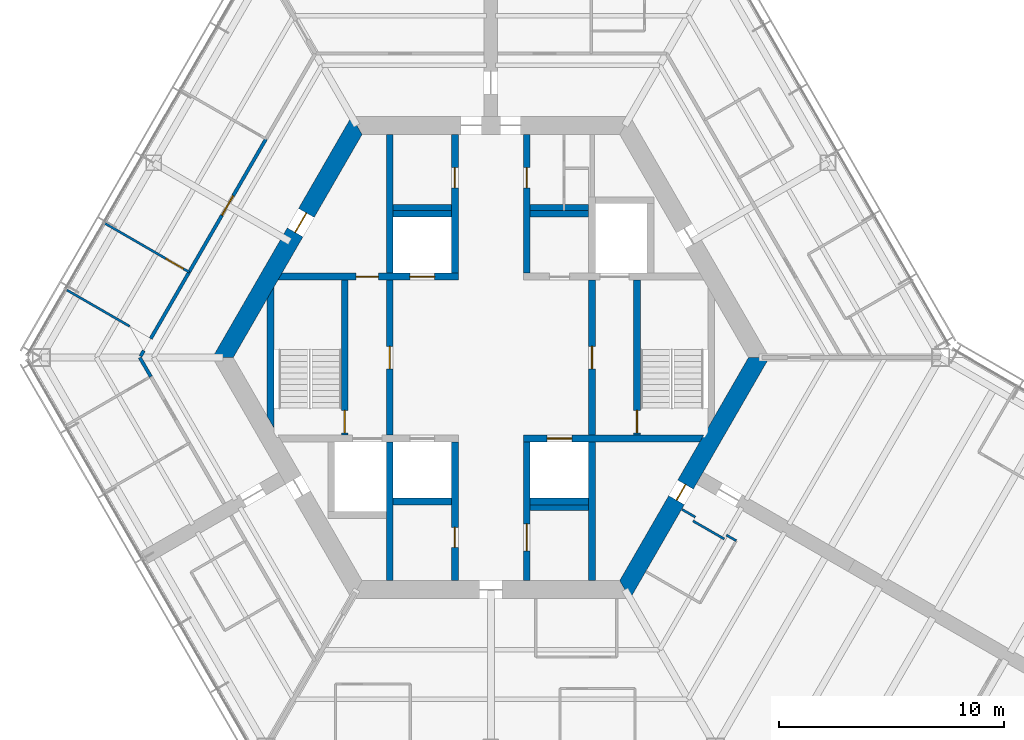
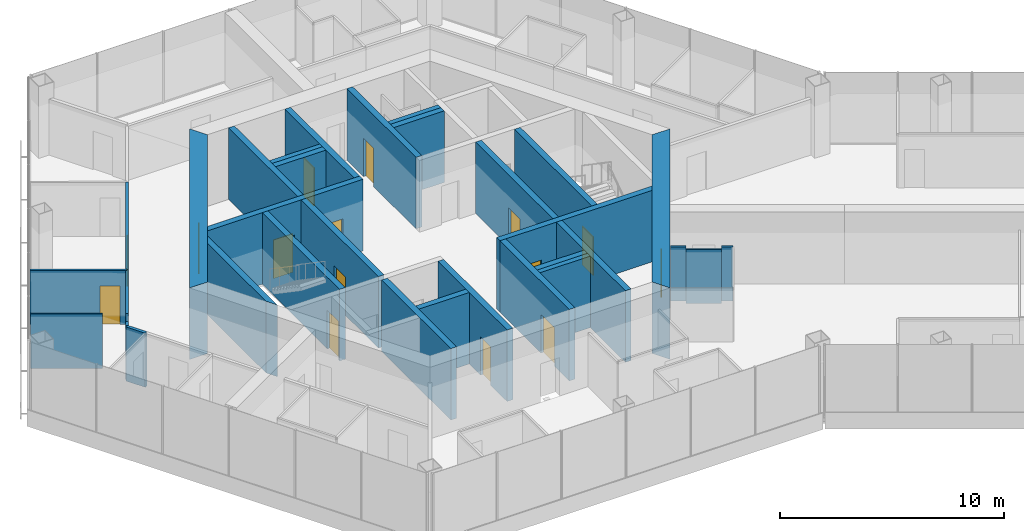
# One storey, part 11 of 17: 32 walls, 15 doors, 15 openings.
"""IFC4 building model written with IfcOpenShell, lengths in metres."""

from ifc_helpers import new_model, si_unit, direction, frame, frame_2d, origin, place, context, subcontext, project, spatial, polyline, rectangle, outline, extrude, material, layer, layer_set, type_object, element, fill, save


model = new_model("IFC4")

# Units and contexts
model_context = context("Model", 3, precision=1e-05, world=origin(), true_north=direction((0.0, 1.0)))
body_context = subcontext(model_context, "Body", "Model", "MODEL_VIEW")
ifc_project = project(units=[si_unit("LENGTHUNIT", "METRE"), si_unit("AREAUNIT", "SQUARE_METRE"), si_unit("VOLUMEUNIT", "CUBIC_METRE"), si_unit("PLANEANGLEUNIT", "RADIAN"), si_unit("MASSUNIT", "GRAM", prefix="KILO")], contexts=[model_context])

# Site, building, storey
site_placement = place(None, origin())
site = spatial("IfcSite", under=ifc_project, at=site_placement, CompositionType="ELEMENT")
building_placement = place(site_placement, origin())
building = spatial("IfcBuilding", under=site, at=building_placement, Name="Kasaneha Research Tower", CompositionType="ELEMENT")
storey_placement = place(building_placement, frame((0.0, 0.0, 232.300048828125)))
storey = spatial("IfcBuildingStorey", under=building, at=storey_placement, Name="L58", CompositionType="ELEMENT", Elevation=232.300048828125)

# Wall, openings, doors
ifc_material_1 = material(Name="Concrete Fc60", Category="concrete")
ifc_layer_1 = layer(ifc_material_1, 0.300048828125)
ifc_layer_set_1 = layer_set([ifc_layer_1], Name="Core internal wall 300 Fc60")
wall_type_1 = type_object("IfcWallType", Name="Core internal wall 300 Fc60", PredefinedType="SHEAR", material=ifc_layer_set_1)
wall_1_placement = place(storey_placement, frame((-9.3818359375, 3.60009765625, 0.0), z_axis=(0.0, 0.0, 1.0), x_axis=(1.0, 0.0, 0.0)))
wall_1 = element("IfcWall", 1, at=wall_1_placement, inside=storey, type_object=wall_type_1, Name="Core wall W1W L58", PredefinedType="SHEAR", context=body_context, shape_type="SweptSolid", body=[
    extrude(outline(polyline([(-0.086669921875, -0.14990234375), (3.3818359375, -0.14990234375), (4.3818359375, -0.14990234375), (5.781982421875, -0.14990234375), (6.882080078125, -0.14990234375), (7.931884765625, -0.14990234375), (7.931884765625, 0.14990234375), (6.882080078125, 0.14990234375), (5.781982421875, 0.14990234375), (4.3818359375, 0.14990234375), (3.3818359375, 0.14990234375), (0.086669921875, 0.14990234375), (-0.086669921875, -0.14990234375)])), origin(), (0.0, 0.0, 1.0), 3.89990234375),
])
opening_1_placement = place(wall_1_placement, frame((3.3818359375, 0.0, 0.0)))
opening_1 = element("IfcOpeningElement", 2, at=opening_1_placement, cuts=wall_1, Name="Opening L58-D12", PredefinedType="OPENING", context=body_context, shape_type="SweptSolid", body=[
    extrude(rectangle(XDim=1.0, YDim=2.10009765625, at=frame_2d((0.5, 1.050048828125))), frame((0.0, 0.16015625, 0.0), z_axis=(0.0, -1.0, 0.0), x_axis=(1.0, 0.0, 0.0)), (0.0, 0.0, 1.0), 0.320068359375),
])
opening_2_placement = place(wall_1_placement, frame((5.781982421875, 0.0, 0.0)))
opening_2 = element("IfcOpeningElement", 3, at=opening_2_placement, cuts=wall_1, Name="Opening LD-LH2-L58", PredefinedType="OPENING", context=body_context, shape_type="SweptSolid", body=[
    extrude(rectangle(XDim=1.10009765625, YDim=2.10009765625, at=frame_2d((0.550048828125, 1.050048828125))), frame((0.0, 0.16015625, 0.0), z_axis=(0.0, -1.0, 0.0), x_axis=(1.0, 0.0, 0.0)), (0.0, 0.0, 1.0), 0.320068359375),
])
ifc_material_2 = material(Name="Steel", Category="steel")
door_type_1 = type_object("IfcDoorType", Name="Lift landing door 1100x2100", OperationType="DOUBLE_DOOR_SLIDING", PredefinedType="DOOR", material=ifc_material_2)
door_1_placement = place(opening_2_placement, origin())
door_1 = element("IfcDoor", 4, at=door_1_placement, inside=storey, type_object=door_type_1, Name="Landing door LH2 LD-LH2-L58", OperationType="DOUBLE_DOOR_SLIDING", OverallHeight=2.10009765625, OverallWidth=1.10009765625, PredefinedType="DOOR", context=body_context, shape_type="SweptSolid", body=[
    extrude(rectangle(XDim=1.10009765625, YDim=2.10009765625, at=frame_2d((0.550048828125, 1.050048828125))), frame((0.0, 0.02490234375, 0.0), z_axis=(0.0, -1.0, 0.0), x_axis=(1.0, 0.0, 0.0)), (0.0, 0.0, 1.0), 0.050048828125),
])
fill(opening_2, door_1)
ifc_material_3 = material(Name="Steel", Category="steel")
door_type_2 = type_object("IfcDoorType", Name="Specified fire door FD60 1000x2100", OperationType="NOTDEFINED", PredefinedType="DOOR", material=ifc_material_3)
door_2_placement = place(opening_1_placement, origin())
door_2 = element("IfcDoor", 5, at=door_2_placement, inside=storey, type_object=door_type_2, Name="Vestibule to lobby door L58-D12", OperationType="SINGLE_SWING_LEFT", OverallHeight=2.10009765625, OverallWidth=1.0, PredefinedType="DOOR", context=body_context, shape_type="SweptSolid", body=[
    extrude(rectangle(XDim=1.0, YDim=2.10009765625, at=frame_2d((0.5, 1.050048828125))), frame((0.0, 0.02490234375, 0.0), z_axis=(0.0, -1.0, 0.0), x_axis=(1.0, 0.0, 0.0)), (0.0, 0.0, 1.0), 0.050048828125),
])
fill(opening_1, door_2)

# Wall, opening, door
wall_2_placement = place(storey_placement, frame((1.449951171875, -3.60009765625, 0.0), z_axis=(0.0, 0.0, 1.0), x_axis=(1.0, 0.0, 0.0)))
wall_2 = element("IfcWall", 6, at=wall_2_placement, inside=storey, type_object=wall_type_1, Name="Core wall W2E L58", PredefinedType="SHEAR", context=body_context, shape_type="SweptSolid", body=[
    extrude(outline(polyline([(0.0, -0.14990234375), (1.050048828125, -0.14990234375), (2.150146484375, -0.14990234375), (7.84521484375, -0.14990234375), (8.0185546875, 0.14990234375), (2.150146484375, 0.14990234375), (1.050048828125, 0.14990234375), (0.0, 0.14990234375), (0.0, -0.14990234375)])), origin(), (0.0, 0.0, 1.0), 3.89990234375),
])
opening_3_placement = place(wall_2_placement, frame((1.050048828125, 0.0, 0.0)))
opening_3 = element("IfcOpeningElement", 7, at=opening_3_placement, cuts=wall_2, Name="Opening LD-LH3-L58", PredefinedType="OPENING", context=body_context, shape_type="SweptSolid", body=[
    extrude(rectangle(XDim=1.10009765625, YDim=2.10009765625, at=frame_2d((0.550048828125, 1.050048828125))), frame((0.0, 0.16015625, 0.0), z_axis=(0.0, -1.0, 0.0), x_axis=(1.0, 0.0, 0.0)), (0.0, 0.0, 1.0), 0.320068359375),
])
door_3_placement = place(opening_3_placement, origin())
door_3 = element("IfcDoor", 8, at=door_3_placement, inside=storey, type_object=door_type_1, Name="Landing door LH3 LD-LH3-L58", OperationType="DOUBLE_DOOR_SLIDING", OverallHeight=2.10009765625, OverallWidth=1.10009765625, PredefinedType="DOOR", context=body_context, shape_type="SweptSolid", body=[
    extrude(rectangle(XDim=1.10009765625, YDim=2.10009765625, at=frame_2d((0.550048828125, 1.050048828125))), frame((0.0, 0.02490234375, 0.0), z_axis=(0.0, -1.0, 0.0), x_axis=(1.0, 0.0, 0.0)), (0.0, 0.0, 1.0), 0.050048828125),
])
fill(opening_3, door_3)

wall_3_placement = place(storey_placement, frame((-1.60009765625, 3.75, 0.0), z_axis=(0.0, 0.0, 1.0), x_axis=(0.0, 1.0, 0.0)))
wall_3 = element("IfcWall", 9, at=wall_3_placement, inside=storey, type_object=wall_type_1, Name="Core wall CNW L58", PredefinedType="SHEAR", context=body_context, shape_type="SweptSolid", body=[
    extrude(rectangle(XDim=6.175048828125, YDim=0.300048828125, at=frame_2d((3.08740234375, 0.0))), origin(), (0.0, 0.0, 1.0), 3.89990234375),
])
opening_4_placement = place(wall_3_placement, frame((3.800048828125, 0.0, 0.0)))
opening_4 = element("IfcOpeningElement", 10, at=opening_4_placement, cuts=wall_3, Name="Opening L58-D13", PredefinedType="OPENING", context=body_context, shape_type="SweptSolid", body=[
    extrude(rectangle(XDim=0.89990234375, YDim=2.10009765625, at=frame_2d((0.449951171875, 1.050048828125))), frame((0.0, 0.16015625, 0.0), z_axis=(0.0, -1.0, 0.0), x_axis=(1.0, 0.0, 0.0)), (0.0, 0.0, 1.0), 0.320068359375),
])
ifc_material_4 = material(Name="Steel", Category="steel")
door_type_3 = type_object("IfcDoorType", Name="Toilet door FD20 900x2100", OperationType="NOTDEFINED", PredefinedType="DOOR", material=ifc_material_4)
door_4_placement = place(opening_4_placement, origin())
door_4 = element("IfcDoor", 11, at=door_4_placement, inside=storey, type_object=door_type_3, Name="Men's WC door L58-D13", OperationType="SINGLE_SWING_LEFT", OverallHeight=2.10009765625, OverallWidth=0.89990234375, PredefinedType="DOOR", context=body_context, shape_type="SweptSolid", body=[
    extrude(rectangle(XDim=0.89990234375, YDim=2.10009765625, at=frame_2d((0.449951171875, 1.050048828125))), frame((0.0, 0.02490234375, 0.0), z_axis=(0.0, -1.0, 0.0), x_axis=(1.0, 0.0, 0.0)), (0.0, 0.0, 1.0), 0.050048828125),
])
fill(opening_4, door_4)

wall_4_placement = place(storey_placement, frame((1.60009765625, 3.75, 0.0), z_axis=(0.0, 0.0, 1.0), x_axis=(0.0, 1.0, 0.0)))
wall_4 = element("IfcWall", 12, at=wall_4_placement, inside=storey, type_object=wall_type_1, Name="Core wall CNE L58", PredefinedType="SHEAR", context=body_context, shape_type="SweptSolid", body=[
    extrude(rectangle(XDim=6.175048828125, YDim=0.300048828125, at=frame_2d((3.08740234375, 0.0))), origin(), (0.0, 0.0, 1.0), 3.89990234375),
])
opening_5_placement = place(wall_4_placement, frame((3.800048828125, 0.0, 0.0)))
opening_5 = element("IfcOpeningElement", 13, at=opening_5_placement, cuts=wall_4, Name="Opening L58-D14", PredefinedType="OPENING", context=body_context, shape_type="SweptSolid", body=[
    extrude(rectangle(XDim=0.89990234375, YDim=2.10009765625, at=frame_2d((0.449951171875, 1.050048828125))), frame((0.0, 0.16015625, 0.0), z_axis=(0.0, -1.0, 0.0), x_axis=(1.0, 0.0, 0.0)), (0.0, 0.0, 1.0), 0.320068359375),
])
door_5_placement = place(opening_5_placement, origin())
door_5 = element("IfcDoor", 14, at=door_5_placement, inside=storey, type_object=door_type_3, Name="Women's WC door L58-D14", OperationType="SINGLE_SWING_LEFT", OverallHeight=2.10009765625, OverallWidth=0.89990234375, PredefinedType="DOOR", context=body_context, shape_type="SweptSolid", body=[
    extrude(rectangle(XDim=0.89990234375, YDim=2.10009765625, at=frame_2d((0.449951171875, 1.050048828125))), frame((0.0, 0.02490234375, 0.0), z_axis=(0.0, -1.0, 0.0), x_axis=(1.0, 0.0, 0.0)), (0.0, 0.0, 1.0), 0.050048828125),
])
fill(opening_5, door_5)

wall_5_placement = place(storey_placement, frame((-1.60009765625, -3.75, 0.0), z_axis=(0.0, 0.0, 1.0), x_axis=(0.0, -1.0, 0.0)))
wall_5 = element("IfcWall", 15, at=wall_5_placement, inside=storey, type_object=wall_type_1, Name="Core wall CSW L58", PredefinedType="SHEAR", context=body_context, shape_type="SweptSolid", body=[
    extrude(rectangle(XDim=6.175048828125, YDim=0.300048828125, at=frame_2d((3.08740234375, 0.0))), origin(), (0.0, 0.0, 1.0), 3.89990234375),
])
opening_6_placement = place(wall_5_placement, frame((3.800048828125, 0.0, 0.0)))
opening_6 = element("IfcOpeningElement", 16, at=opening_6_placement, cuts=wall_5, Name="Opening L58-D16", PredefinedType="OPENING", context=body_context, shape_type="SweptSolid", body=[
    extrude(rectangle(XDim=0.89990234375, YDim=2.10009765625, at=frame_2d((0.449951171875, 1.050048828125))), frame((0.0, 0.16015625, 0.0), z_axis=(0.0, -1.0, 0.0), x_axis=(1.0, 0.0, 0.0)), (0.0, 0.0, 1.0), 0.320068359375),
])
ifc_material_5 = material(Name="Steel", Category="steel")
door_type_4 = type_object("IfcDoorType", Name="Riser access door FD60 900x2100", OperationType="NOTDEFINED", PredefinedType="DOOR", material=ifc_material_5)
door_6_placement = place(opening_6_placement, origin())
door_6 = element("IfcDoor", 17, at=door_6_placement, inside=storey, type_object=door_type_4, Name="Electrical riser door L58-D16", OperationType="SINGLE_SWING_LEFT", OverallHeight=2.10009765625, OverallWidth=0.89990234375, PredefinedType="DOOR", context=body_context, shape_type="SweptSolid", body=[
    extrude(rectangle(XDim=0.89990234375, YDim=2.10009765625, at=frame_2d((0.449951171875, 1.050048828125))), frame((0.0, 0.02490234375, 0.0), z_axis=(0.0, -1.0, 0.0), x_axis=(1.0, 0.0, 0.0)), (0.0, 0.0, 1.0), 0.050048828125),
])
fill(opening_6, door_6)

wall_6_placement = place(storey_placement, frame((1.60009765625, -3.75, 0.0), z_axis=(0.0, 0.0, 1.0), x_axis=(0.0, -1.0, 0.0)))
wall_6 = element("IfcWall", 18, at=wall_6_placement, inside=storey, type_object=wall_type_1, Name="Core wall CSE L58", PredefinedType="SHEAR", context=body_context, shape_type="SweptSolid", body=[
    extrude(rectangle(XDim=6.175048828125, YDim=0.300048828125, at=frame_2d((3.08740234375, 0.0))), origin(), (0.0, 0.0, 1.0), 3.89990234375),
])
opening_7_placement = place(wall_6_placement, frame((3.64990234375, 0.0, 0.0)))
opening_7 = element("IfcOpeningElement", 19, at=opening_7_placement, cuts=wall_6, Name="Opening L58-D15", PredefinedType="OPENING", context=body_context, shape_type="SweptSolid", body=[
    extrude(rectangle(XDim=1.199951171875, YDim=2.10009765625, at=frame_2d((0.60009765625, 1.050048828125))), frame((0.0, 0.16015625, 0.0), z_axis=(0.0, -1.0, 0.0), x_axis=(1.0, 0.0, 0.0)), (0.0, 0.0, 1.0), 0.320068359375),
])
ifc_material_6 = material(Name="Steel", Category="steel")
door_type_5 = type_object("IfcDoorType", Name="Accessible toilet sliding door FD20 1200x2100", OperationType="SLIDING_TO_LEFT", PredefinedType="DOOR", material=ifc_material_6)
door_7_placement = place(opening_7_placement, origin())
door_7 = element("IfcDoor", 20, at=door_7_placement, inside=storey, type_object=door_type_5, Name="Accessible WC door L58-D15", OperationType="SLIDING_TO_LEFT", OverallHeight=2.10009765625, OverallWidth=1.199951171875, PredefinedType="DOOR", context=body_context, shape_type="SweptSolid", body=[
    extrude(rectangle(XDim=1.199951171875, YDim=2.10009765625, at=frame_2d((0.60009765625, 1.050048828125))), frame((0.0, 0.02490234375, 0.0), z_axis=(0.0, -1.0, 0.0), x_axis=(1.0, 0.0, 0.0)), (0.0, 0.0, 1.0), 0.050048828125),
])
fill(opening_7, door_7)

wall_7_placement = place(storey_placement, frame((-4.5, -3.449951171875, 0.0), z_axis=(0.0, 0.0, 1.0), x_axis=(0.0, 1.0, 0.0)))
wall_7 = element("IfcWall", 21, at=wall_7_placement, inside=storey, type_object=wall_type_1, Name="Core wall LBW L58", PredefinedType="SHEAR", context=body_context, shape_type="SweptSolid", body=[
    extrude(rectangle(XDim=6.89990234375, YDim=0.300048828125, at=frame_2d((3.449951171875, 0.0))), origin(), (0.0, 0.0, 1.0), 3.89990234375),
])
opening_8_placement = place(wall_7_placement, frame((2.949951171875, 0.0, 0.0)))
opening_8 = element("IfcOpeningElement", 22, at=opening_8_placement, cuts=wall_7, Name="Opening L58-D09", PredefinedType="OPENING", context=body_context, shape_type="SweptSolid", body=[
    extrude(rectangle(XDim=1.0, YDim=2.10009765625, at=frame_2d((0.5, 1.050048828125))), frame((0.0, 0.16015625, 0.0), z_axis=(0.0, -1.0, 0.0), x_axis=(1.0, 0.0, 0.0)), (0.0, 0.0, 1.0), 0.320068359375),
])
door_8_placement = place(opening_8_placement, origin())
door_8 = element("IfcDoor", 23, at=door_8_placement, inside=storey, type_object=door_type_2, Name="Lift lobby door west L58-D09", OperationType="SINGLE_SWING_LEFT", OverallHeight=2.10009765625, OverallWidth=1.0, PredefinedType="DOOR", context=body_context, shape_type="SweptSolid", body=[
    extrude(rectangle(XDim=1.0, YDim=2.10009765625, at=frame_2d((0.5, 1.050048828125))), frame((0.0, 0.02490234375, 0.0), z_axis=(0.0, -1.0, 0.0), x_axis=(1.0, 0.0, 0.0)), (0.0, 0.0, 1.0), 0.050048828125),
])
fill(opening_8, door_8)

wall_8_placement = place(storey_placement, frame((4.5, -3.449951171875, 0.0), z_axis=(0.0, 0.0, 1.0), x_axis=(0.0, 1.0, 0.0)))
wall_8 = element("IfcWall", 24, at=wall_8_placement, inside=storey, type_object=wall_type_1, Name="Core wall LBE L58", PredefinedType="SHEAR", context=body_context, shape_type="SweptSolid", body=[
    extrude(rectangle(XDim=6.89990234375, YDim=0.300048828125, at=frame_2d((3.449951171875, 0.0))), origin(), (0.0, 0.0, 1.0), 3.89990234375),
])
opening_9_placement = place(wall_8_placement, frame((2.949951171875, 0.0, 0.0)))
opening_9 = element("IfcOpeningElement", 25, at=opening_9_placement, cuts=wall_8, Name="Opening L58-D08", PredefinedType="OPENING", context=body_context, shape_type="SweptSolid", body=[
    extrude(rectangle(XDim=1.0, YDim=2.10009765625, at=frame_2d((0.5, 1.050048828125))), frame((0.0, 0.16015625, 0.0), z_axis=(0.0, -1.0, 0.0), x_axis=(1.0, 0.0, 0.0)), (0.0, 0.0, 1.0), 0.320068359375),
])
door_9_placement = place(opening_9_placement, origin())
door_9 = element("IfcDoor", 26, at=door_9_placement, inside=storey, type_object=door_type_2, Name="Lift lobby door east L58-D08", OperationType="SINGLE_SWING_LEFT", OverallHeight=2.10009765625, OverallWidth=1.0, PredefinedType="DOOR", context=body_context, shape_type="SweptSolid", body=[
    extrude(rectangle(XDim=1.0, YDim=2.10009765625, at=frame_2d((0.5, 1.050048828125))), frame((0.0, 0.02490234375, 0.0), z_axis=(0.0, -1.0, 0.0), x_axis=(1.0, 0.0, 0.0)), (0.0, 0.0, 1.0), 0.050048828125),
])
fill(opening_9, door_9)

wall_9_placement = place(storey_placement, frame((-6.5, -3.449951171875, 0.0), z_axis=(0.0, 0.0, 1.0), x_axis=(0.0, 1.0, 0.0)))
wall_9 = element("IfcWall", 27, at=wall_9_placement, inside=storey, type_object=wall_type_1, Name="Core wall ANW L58", PredefinedType="SHEAR", context=body_context, shape_type="SweptSolid", body=[
    extrude(rectangle(XDim=6.89990234375, YDim=0.300048828125, at=frame_2d((3.449951171875, 0.0))), origin(), (0.0, 0.0, 1.0), 3.89990234375),
])
opening_10_placement = place(wall_9_placement, frame((0.10009765625, 0.0, 0.0)))
opening_10 = element("IfcOpeningElement", 28, at=opening_10_placement, cuts=wall_9, Name="Opening L58-D11", PredefinedType="OPENING", context=body_context, shape_type="SweptSolid", body=[
    extrude(rectangle(XDim=1.0, YDim=2.10009765625, at=frame_2d((0.5, 1.050048828125))), frame((0.0, 0.16015625, 0.0), z_axis=(0.0, -1.0, 0.0), x_axis=(1.0, 0.0, 0.0)), (0.0, 0.0, 1.0), 0.320068359375),
])
door_10_placement = place(opening_10_placement, origin())
door_10 = element("IfcDoor", 29, at=door_10_placement, inside=storey, type_object=door_type_2, Name="Stair 2 door L58-D11", OperationType="SINGLE_SWING_LEFT", OverallHeight=2.10009765625, OverallWidth=1.0, PredefinedType="DOOR", context=body_context, shape_type="SweptSolid", body=[
    extrude(rectangle(XDim=1.0, YDim=2.10009765625, at=frame_2d((0.5, 1.050048828125))), frame((0.0, 0.02490234375, 0.0), z_axis=(0.0, -1.0, 0.0), x_axis=(1.0, 0.0, 0.0)), (0.0, 0.0, 1.0), 0.050048828125),
])
fill(opening_10, door_10)

wall_10_placement = place(storey_placement, frame((6.5, -3.449951171875, 0.0), z_axis=(0.0, 0.0, 1.0), x_axis=(0.0, 1.0, 0.0)))
wall_10 = element("IfcWall", 30, at=wall_10_placement, inside=storey, type_object=wall_type_1, Name="Core wall ANE L58", PredefinedType="SHEAR", context=body_context, shape_type="SweptSolid", body=[
    extrude(rectangle(XDim=6.89990234375, YDim=0.300048828125, at=frame_2d((3.449951171875, 0.0))), origin(), (0.0, 0.0, 1.0), 3.89990234375),
])
opening_11_placement = place(wall_10_placement, frame((0.10009765625, 0.0, 0.0)))
opening_11 = element("IfcOpeningElement", 31, at=opening_11_placement, cuts=wall_10, Name="Opening L58-D10", PredefinedType="OPENING", context=body_context, shape_type="SweptSolid", body=[
    extrude(rectangle(XDim=1.0, YDim=2.10009765625, at=frame_2d((0.5, 1.050048828125))), frame((0.0, 0.16015625, 0.0), z_axis=(0.0, -1.0, 0.0), x_axis=(1.0, 0.0, 0.0)), (0.0, 0.0, 1.0), 0.320068359375),
])
door_11_placement = place(opening_11_placement, origin())
door_11 = element("IfcDoor", 32, at=door_11_placement, inside=storey, type_object=door_type_2, Name="Stair 1 door L58-D10", OperationType="SINGLE_SWING_LEFT", OverallHeight=2.10009765625, OverallWidth=1.0, PredefinedType="DOOR", context=body_context, shape_type="SweptSolid", body=[
    extrude(rectangle(XDim=1.0, YDim=2.10009765625, at=frame_2d((0.5, 1.050048828125))), frame((0.0, 0.02490234375, 0.0), z_axis=(0.0, -1.0, 0.0), x_axis=(1.0, 0.0, 0.0)), (0.0, 0.0, 1.0), 0.050048828125),
])
fill(opening_11, door_11)

# Walls
for number, where, z_axis, x_axis, name in (
    (33, (-4.5, 3.75, 0.0), (0.0, 0.0, 1.0), (0.0, 1.0, 0.0), "Core wall VNW L58"),
    (34, (-4.5, -3.75, 0.0), (0.0, 0.0, 1.0), (0.0, -1.0, 0.0), "Core wall SSW L58"),
    (35, (4.5, -3.75, 0.0), (0.0, 0.0, 1.0), (0.0, -1.0, 0.0), "Core wall SSE L58"),
):
    element("IfcWall", number, at=place(storey_placement, frame(where, z_axis=z_axis, x_axis=x_axis)), inside=storey, type_object=wall_type_1, Name=name, PredefinedType="SHEAR", context=body_context, shape_type="SweptSolid", body=[
        extrude(rectangle(XDim=6.175048828125, YDim=0.300048828125, at=frame_2d((3.08740234375, 0.0))), origin(), (0.0, 0.0, 1.0), 3.89990234375),
    ])
for number, where, z_axis, x_axis, name in (
    (36, (-4.35009765625, 6.39990234375, 0.0), (0.0, 0.0, 1.0), (1.0, 0.0, 0.0), "Core wall N1N L58"),
    (37, (1.75, 6.39990234375, 0.0), (0.0, 0.0, 1.0), (1.0, 0.0, 0.0), "Core wall N3N L58"),
    (38, (-4.35009765625, -6.39990234375, 0.0), (0.0, 0.0, 1.0), (1.0, 0.0, 0.0), "Core wall S1S L58"),
    (39, (1.75, -6.39990234375, 0.0), (0.0, 0.0, 1.0), (1.0, 0.0, 0.0), "Core wall S3S L58"),
):
    element("IfcWall", number, at=place(storey_placement, frame(where, z_axis=z_axis, x_axis=x_axis)), inside=storey, type_object=wall_type_1, Name=name, PredefinedType="SHEAR", context=body_context, shape_type="SweptSolid", body=[
        extrude(rectangle(XDim=2.60009765625, YDim=0.300048828125, at=frame_2d((1.300048828125, 0.0))), origin(), (0.0, 0.0, 1.0), 3.89990234375),
    ])
wall_11_placement = place(storey_placement, frame((-9.807861328125, -2.8623046875, 0.0), z_axis=(0.0, 0.0, 1.0), x_axis=(0.0, 1.0, 0.0)))
element("IfcWall", 40, at=wall_11_placement, inside=storey, type_object=wall_type_1, Name="Core wall STW L58", PredefinedType="SHEAR", context=body_context, shape_type="SweptSolid", body=[
    extrude(outline(polyline([(-0.259765625, -0.14990234375), (5.984375, -0.14990234375), (5.46484375, 0.14990234375), (0.259765625, 0.14990234375), (-0.259765625, -0.14990234375)])), origin(), (0.0, 0.0, 1.0), 3.89990234375),
])

# Wall, opening, door
ifc_material_7 = material(Name="Concrete Fc60", Category="concrete")
ifc_layer_2 = layer(ifc_material_7, 0.800048828125)
ifc_layer_set_2 = layer_set([ifc_layer_2], Name="Core wall 800 Fc60")
wall_type_2 = type_object("IfcWallType", Name="Core wall 800 Fc60", PredefinedType="SHEAR", material=ifc_layer_set_2)
wall_12_placement = place(storey_placement, frame((-5.961181640625, 10.324951171875, 0.0), z_axis=(0.0, 0.0, 1.0), x_axis=(-0.500004296715, -0.866022923061, 0.0)))
wall_12 = element("IfcWall", 41, at=wall_12_placement, inside=storey, type_object=wall_type_2, Name="Core wall 150 L58", PredefinedType="SHEAR", context=body_context, shape_type="SweptSolid", body=[
    extrude(outline(polyline([(-0.23095703125, -0.39990234375), (4.494140625, -0.39990234375), (5.494140625, -0.39990234375), (12.1533203125, -0.39990234375), (11.69140625, 0.39990234375), (5.494140625, 0.39990234375), (4.494140625, 0.39990234375), (0.23095703125, 0.39990234375), (-0.23095703125, -0.39990234375)])), origin(), (0.0, 0.0, 1.0), 3.89990234375),
])
opening_12_placement = place(wall_12_placement, frame((4.494140625, 0.0, 0.0)))
opening_12 = element("IfcOpeningElement", 42, at=opening_12_placement, cuts=wall_12, Name="Opening L58-D07", PredefinedType="OPENING", context=body_context, shape_type="SweptSolid", body=[
    extrude(rectangle(XDim=1.0, YDim=2.10009765625, at=frame_2d((0.5, 1.050048828125))), frame((0.0, 0.41015625, 0.0), z_axis=(0.0, -1.0, 0.0), x_axis=(1.0, 0.0, 0.0)), (0.0, 0.0, 1.0), 0.820068359375),
])
ifc_material_8 = material(Name="Steel", Category="steel")
door_type_6 = type_object("IfcDoorType", Name="Fire door FD20 1000x2100", OperationType="NOTDEFINED", PredefinedType="DOOR", material=ifc_material_8)
door_12_placement = place(opening_12_placement, origin())
door_12 = element("IfcDoor", 43, at=door_12_placement, inside=storey, type_object=door_type_6, Name="Vestibule door L58-D07", OperationType="SINGLE_SWING_LEFT", OverallHeight=2.10009765625, OverallWidth=1.0, PredefinedType="DOOR", context=body_context, shape_type="SweptSolid", body=[
    extrude(rectangle(XDim=1.0, YDim=2.10009765625, at=frame_2d((0.5, 1.050048828125))), frame((0.0, 0.02490234375, 0.0), z_axis=(0.0, -1.0, 0.0), x_axis=(1.0, 0.0, 0.0)), (0.0, 0.0, 1.0), 0.050048828125),
])
fill(opening_12, door_12)

wall_13_placement = place(storey_placement, frame((5.961181640625, -10.324951171875, 0.0), z_axis=(0.0, 0.0, 1.0), x_axis=(0.500004296715, 0.866022923061, 0.0)))
wall_13 = element("IfcWall", 44, at=wall_13_placement, inside=storey, type_object=wall_type_2, Name="Core wall 330 L58", PredefinedType="SHEAR", context=body_context, shape_type="SweptSolid", body=[
    extrude(outline(polyline([(-0.23095703125, -0.39990234375), (4.593994140625, -0.39990234375), (5.39404296875, -0.39990234375), (12.1533203125, -0.39990234375), (11.69140625, 0.39990234375), (5.39404296875, 0.39990234375), (4.593994140625, 0.39990234375), (0.23095703125, 0.39990234375), (-0.23095703125, -0.39990234375)])), origin(), (0.0, 0.0, 1.0), 3.89990234375),
])
opening_13_placement = place(wall_13_placement, frame((4.593994140625, 0.0, 0.0)))
opening_13 = element("IfcOpeningElement", 45, at=opening_13_placement, cuts=wall_13, Name="Opening L58-D05", PredefinedType="OPENING", context=body_context, shape_type="SweptSolid", body=[
    extrude(rectangle(XDim=0.800048828125, YDim=2.10009765625, at=frame_2d((0.39990234375, 1.050048828125))), frame((0.0, 0.41015625, 0.0), z_axis=(0.0, -1.0, 0.0), x_axis=(1.0, 0.0, 0.0)), (0.0, 0.0, 1.0), 0.820068359375),
])
ifc_material_9 = material(Name="Steel", Category="steel")
door_type_7 = type_object("IfcDoorType", Name="Riser access door FD60 800x2100", OperationType="NOTDEFINED", PredefinedType="DOOR", material=ifc_material_9)
door_13_placement = place(opening_13_placement, origin())
door_13 = element("IfcDoor", 46, at=door_13_placement, inside=storey, type_object=door_type_7, Name="Pipe riser door L58-D05", OperationType="SINGLE_SWING_LEFT", OverallHeight=2.10009765625, OverallWidth=0.800048828125, PredefinedType="DOOR", context=body_context, shape_type="SweptSolid", body=[
    extrude(rectangle(XDim=0.800048828125, YDim=2.10009765625, at=frame_2d((0.39990234375, 1.050048828125))), frame((0.0, 0.02490234375, 0.0), z_axis=(0.0, -1.0, 0.0), x_axis=(1.0, 0.0, 0.0)), (0.0, 0.0, 1.0), 0.050048828125),
])
fill(opening_13, door_13)

# Wall
ifc_material_10 = material(Name="Gypsum board on steel studs, one layer each side", Category="steel")
ifc_layer_3 = layer(ifc_material_10, 0.10009765625)
ifc_layer_set_3 = layer_set([ifc_layer_3], Name="Office partition 100")
wall_type_3 = type_object("IfcWallType", Name="Office partition 100", PredefinedType="PARTITIONING", material=ifc_layer_set_3)
wall_14_placement = place(storey_placement, frame((-16.06689453125, 1.388427734375, 0.0), z_axis=(0.0, 0.0, 1.0), x_axis=(-0.866010186656, 0.500026355914, 0.0)))
element("IfcWall", 47, at=wall_14_placement, inside=storey, type_object=wall_type_3, Name="Office partition FBN08 L58", PredefinedType="PARTITIONING", context=body_context, shape_type="SweptSolid", body=[
    extrude(rectangle(XDim=3.221923828125, YDim=0.10009765625, at=frame_2d((1.61083984375, 0.0))), origin(), (0.0, 0.0, 1.0), 2.949951171875),
])

# Wall, opening, door
wall_15_placement = place(storey_placement, frame((-17.1708984375, 5.969970703125, 0.0), z_axis=(0.0, 0.0, 1.0), x_axis=(0.865485466478, -0.500934034894, 0.0)))
wall_15 = element("IfcWall", 48, at=wall_15_placement, inside=storey, type_object=wall_type_3, Name="Office partition FBN09 L58", PredefinedType="PARTITIONING", context=body_context, shape_type="SweptSolid", body=[
    extrude(rectangle(XDim=4.330322265625, YDim=0.10009765625, at=frame_2d((2.1650390625, 0.0))), origin(), (0.0, 0.0, 1.0), 2.949951171875),
])
opening_14_placement = place(wall_15_placement, frame((3.130615234375, 0.0, 0.0)))
opening_14 = element("IfcOpeningElement", 49, at=opening_14_placement, cuts=wall_15, Name="Opening L58-D35", PredefinedType="OPENING", context=body_context, shape_type="SweptSolid", body=[
    extrude(rectangle(XDim=0.89990234375, YDim=2.10009765625, at=frame_2d((0.449951171875, 1.050048828125))), frame((0.0, 0.06005859375, 0.0), z_axis=(0.0, -1.0, 0.0), x_axis=(1.0, 0.0, 0.0)), (0.0, 0.0, 1.0), 0.1201171875),
])
ifc_material_11 = material(Name="Timber veneer", Category="wood")
door_type_8 = type_object("IfcDoorType", Name="Office door 900x2100", OperationType="SINGLE_SWING_LEFT", PredefinedType="DOOR", material=ifc_material_11)
door_14_placement = place(opening_14_placement, origin())
door_14 = element("IfcDoor", 50, at=door_14_placement, inside=storey, type_object=door_type_8, Name="Meeting room door L58-D35", OperationType="SINGLE_SWING_RIGHT", OverallHeight=2.10009765625, OverallWidth=0.89990234375, PredefinedType="DOOR", context=body_context, shape_type="SweptSolid", body=[
    extrude(rectangle(XDim=0.89990234375, YDim=2.10009765625, at=frame_2d((0.449951171875, 1.050048828125))), frame((0.0, 0.02490234375, 0.0), z_axis=(0.0, -1.0, 0.0), x_axis=(1.0, 0.0, 0.0)), (0.0, 0.0, 1.0), 0.050048828125),
])
fill(opening_14, door_14)

# Walls
wall_16_placement = place(storey_placement, frame((8.50537109375, -6.758056640625, 0.0), z_axis=(0.0, 0.0, 1.0), x_axis=(0.865958369053, -0.50011608959, 0.0)))
element("IfcWall", 51, at=wall_16_placement, inside=storey, type_object=wall_type_3, Name="Office partition FCS01 L58", PredefinedType="PARTITIONING", context=body_context, shape_type="SweptSolid", body=[
    extrude(rectangle(XDim=0.679931640625, YDim=0.10009765625, at=frame_2d((0.33984375, 0.0))), origin(), (0.0, 0.0, 1.0), 2.949951171875),
])
wall_17_placement = place(storey_placement, frame((8.994384765625, -7.271240234375, 0.0), z_axis=(0.0, 0.0, 1.0), x_axis=(0.865989903783, -0.500061482766, 0.0)))
element("IfcWall", 52, at=wall_17_placement, inside=storey, type_object=wall_type_3, Name="Office partition FCS02 L58", PredefinedType="PARTITIONING", context=body_context, shape_type="SweptSolid", body=[
    extrude(rectangle(XDim=1.599853515625, YDim=0.10009765625, at=frame_2d((0.7998046875, 0.0))), origin(), (0.0, 0.0, 1.0), 2.949951171875),
])
wall_18_placement = place(storey_placement, frame((10.47998046875, -7.898193359375, 0.0), z_axis=(0.0, 0.0, 1.0), x_axis=(0.866071776036, -0.499919672301, 0.0)))
element("IfcWall", 53, at=wall_18_placement, inside=storey, type_object=wall_type_3, Name="Office partition FCS04 L58", PredefinedType="PARTITIONING", context=body_context, shape_type="SweptSolid", body=[
    extrude(rectangle(XDim=0.5, YDim=0.10009765625, at=frame_2d((0.25, 0.0))), origin(), (0.0, 0.0, 1.0), 2.949951171875),
])
ifc_material_12 = material(Name="Gypsum board on steel studs, two layers each side", Category="steel")
ifc_layer_4 = layer(ifc_material_12, 0.14990234375)
ifc_layer_set_4 = layer_set([ifc_layer_4], Name="Suite partition 150")
wall_type_4 = type_object("IfcWallType", Name="Suite partition 150", PredefinedType="PARTITIONING", material=ifc_layer_set_4)
wall_19_placement = place(storey_placement, frame((-15.131103515625, 0.84228515625, 0.0), z_axis=(0.0, 0.0, 1.0), x_axis=(0.500032973541, 0.866006365664, 0.0)))
element("IfcWall", 54, at=wall_19_placement, inside=storey, type_object=wall_type_4, Name="Suite partition FBN01 L58", PredefinedType="PARTITIONING", context=body_context, shape_type="SweptSolid", body=[
    extrude(rectangle(XDim=3.425537109375, YDim=0.14990234375, at=frame_2d((1.712890625, 0.0))), origin(), (0.0, 0.0, 1.0), 2.949951171875),
])
wall_20_placement = place(storey_placement, frame((-15.584716796875, 0.056396484375, 0.0), z_axis=(0.0, 0.0, 1.0), x_axis=(0.500164219654, 0.865930570761, 0.0)))
element("IfcWall", 55, at=wall_20_placement, inside=storey, type_object=wall_type_4, Name="Suite partition FBN04 L58", PredefinedType="PARTITIONING", context=body_context, shape_type="SweptSolid", body=[
    extrude(rectangle(XDim=0.287109375, YDim=0.14990234375, at=frame_2d((0.1435546875, 0.0))), origin(), (0.0, 0.0, 1.0), 2.949951171875),
])
wall_21_placement = place(storey_placement, frame((-15.1259765625, -0.85107421875, 0.0), z_axis=(0.0, 0.0, 1.0), x_axis=(-0.499880173341, 0.866094574686, 0.0)))
element("IfcWall", 56, at=wall_21_placement, inside=storey, type_object=wall_type_4, Name="Suite partition FBN05 L58", PredefinedType="PARTITIONING", context=body_context, shape_type="SweptSolid", body=[
    extrude(rectangle(XDim=0.982666015625, YDim=0.14990234375, at=frame_2d((0.4912109375, 0.0))), origin(), (0.0, 0.0, 1.0), 2.949951171875),
])

# Wall, opening, door
wall_22_placement = place(storey_placement, frame((-13.423095703125, 3.80078125, 0.0), z_axis=(0.0, 0.0, 1.0), x_axis=(0.500020088259, 0.866013805512, 0.0)))
wall_22 = element("IfcWall", 57, at=wall_22_placement, inside=storey, type_object=wall_type_4, Name="Suite partition FBN06 L58", PredefinedType="PARTITIONING", context=body_context, shape_type="SweptSolid", body=[
    extrude(rectangle(XDim=6.840087890625, YDim=0.14990234375, at=frame_2d((3.419921875, 0.0))), origin(), (0.0, 0.0, 1.0), 2.949951171875),
])
opening_15_placement = place(wall_22_placement, frame((2.919921875, 0.0, 0.0)))
opening_15 = element("IfcOpeningElement", 58, at=opening_15_placement, cuts=wall_22, Name="Opening L58-D33", PredefinedType="OPENING", context=body_context, shape_type="SweptSolid", body=[
    extrude(rectangle(XDim=1.0, YDim=2.10009765625, at=frame_2d((0.5, 1.050048828125))), frame((0.0, 0.0849609375, 0.0), z_axis=(0.0, -1.0, 0.0), x_axis=(1.0, 0.0, 0.0)), (0.0, 0.0, 1.0), 0.169921875),
])
ifc_material_13 = material(Name="Steel", Category="steel")
door_type_9 = type_object("IfcDoorType", Name="Suite entrance door FD60 1000x2100", OperationType="NOTDEFINED", PredefinedType="DOOR", material=ifc_material_13)
door_15_placement = place(opening_15_placement, origin())
door_15 = element("IfcDoor", 59, at=door_15_placement, inside=storey, type_object=door_type_9, Name="Suite entrance door L58-D33", OperationType="SINGLE_SWING_RIGHT", OverallHeight=2.10009765625, OverallWidth=1.0, PredefinedType="DOOR", context=body_context, shape_type="SweptSolid", body=[
    extrude(rectangle(XDim=1.0, YDim=2.10009765625, at=frame_2d((0.5, 1.050048828125))), frame((0.0, 0.02490234375, 0.0), z_axis=(0.0, -1.0, 0.0), x_axis=(1.0, 0.0, 0.0)), (0.0, 0.0, 1.0), 0.050048828125),
])
fill(opening_15, door_15)

# Walls
ifc_material_14 = material(Name="Concrete block lining", Category="concrete")
ifc_layer_5 = layer(ifc_material_14, 0.25)
ifc_layer_set_5 = layer_set([ifc_layer_5], Name="WC plumbing wall 250")
wall_type_5 = type_object("IfcWallType", Name="WC plumbing wall 250", PredefinedType="PLUMBINGWALL", material=ifc_layer_set_5)
for number, where, z_axis, x_axis, name in (
    (60, (-4.35009765625, 6.675048828125, 0.0), (0.0, 0.0, 1.0), (1.0, 0.0, 0.0), "WC plumbing wall M L58"),
    (61, (1.75, 6.675048828125, 0.0), (0.0, 0.0, 1.0), (1.0, 0.0, 0.0), "WC plumbing wall F L58"),
    (62, (1.75, -6.675048828125, 0.0), (0.0, 0.0, 1.0), (1.0, 0.0, 0.0), "WC plumbing wall A L58"),
):
    element("IfcWall", number, at=place(storey_placement, frame(where, z_axis=z_axis, x_axis=x_axis)), inside=storey, type_object=wall_type_5, Name=name, PredefinedType="PLUMBINGWALL", context=body_context, shape_type="SweptSolid", body=[
        extrude(rectangle(XDim=2.60009765625, YDim=0.25, at=frame_2d((1.300048828125, 0.0))), origin(), (0.0, 0.0, 1.0), 3.89990234375),
    ])

save(model, "model.ifc")
